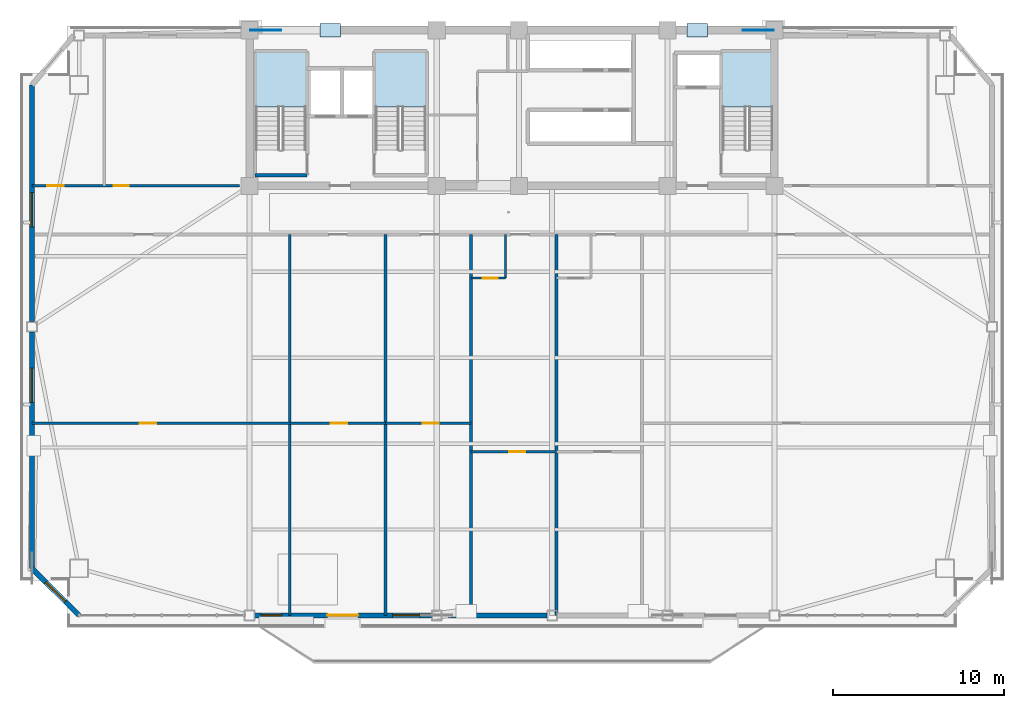
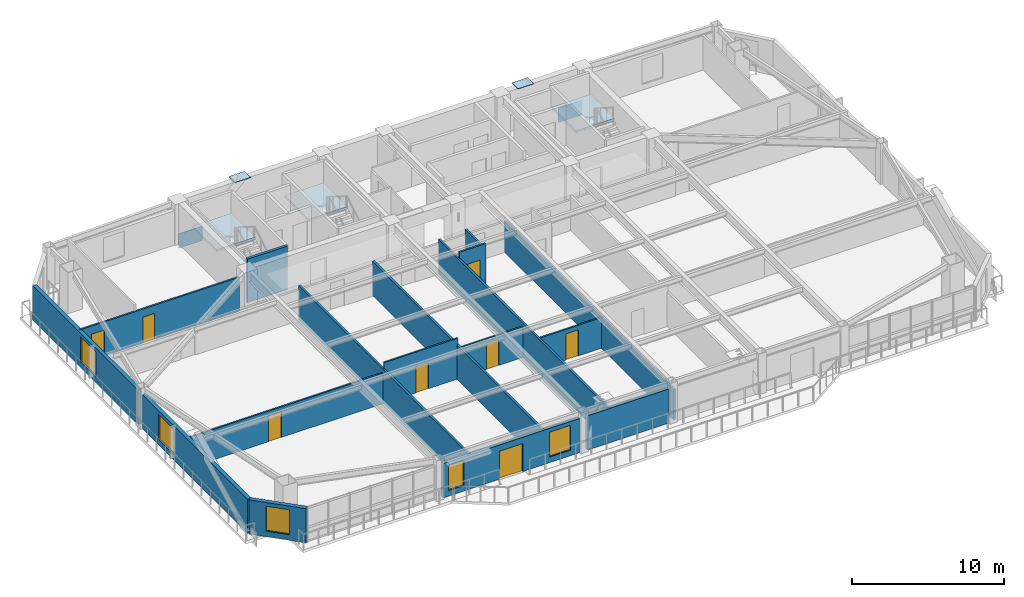
# One storey, part 8 of 17: 17 walls, 8 doors, 5 windows, 4 plates, 3 slabs, 13 openings, 3 elements without a shape of their own.
"""IFC4 building model written with IfcOpenShell, lengths in metres."""

from ifc_helpers import new_model, si_unit, direction, frame, frame_2d, origin, origin_2d, place, context, subcontext, project, spatial, polyline, rectangle, outline, extrude, source, transform, mapped, material, layer, layer_set, type_object, element, fill, aggregate, save


model = new_model("IFC4")

# Units and contexts
model_context = context("Model", 3, precision=1e-05, world=origin(), true_north=direction((0.0, 1.0)))
body_context = subcontext(model_context, "Body", "Model", "MODEL_VIEW")
ifc_project = project(units=[si_unit("LENGTHUNIT", "METRE"), si_unit("AREAUNIT", "SQUARE_METRE"), si_unit("VOLUMEUNIT", "CUBIC_METRE"), si_unit("PLANEANGLEUNIT", "RADIAN"), si_unit("MASSUNIT", "GRAM", prefix="KILO")], contexts=[model_context])

# Site, building, storey
site_placement = place(None, origin())
site = spatial("IfcSite", under=ifc_project, at=site_placement, CompositionType="ELEMENT")
building_placement = place(site_placement, origin())
building = spatial("IfcBuilding", under=site, at=building_placement, Name="Giltprow Tower", CompositionType="ELEMENT")
storey_placement = place(building_placement, frame((0.0, 0.0, 213.199951171875)))
storey = spatial("IfcBuildingStorey", under=building, at=storey_placement, Name="L54", CompositionType="ELEMENT", Elevation=213.199951171875)

# Stair, slab
ifc_material_1 = material(Name="Concrete C40", Category="concrete")
stair_type_1 = type_object("IfcStairType", Name="STR-ST-1", PredefinedType="HALF_TURN_STAIR", material=ifc_material_1)
stair_1_placement = place(storey_placement, origin())
stair_1 = element("IfcStair", 1, at=stair_1_placement, inside=storey, type_object=stair_type_1, Name="L54 Core Exit Stair ST-1", PredefinedType="HALF_TURN_STAIR")
ifc_layer_1 = layer(ifc_material_1, 0.179931640625, Name="Concrete C40")
ifc_layer_set_1 = layer_set([ifc_layer_1], Name="Concrete C40")
slab_type_1 = type_object("IfcSlabType", Name="SLD-ST-1", PredefinedType="LANDING", material=ifc_layer_set_1)
slab_1_placement = place(storey_placement, frame((0.0, 0.0, 1.570068359375)))
slab_1 = element("IfcSlab", 2, at=slab_1_placement, type_object=slab_type_1, Name="ST-1 landing 1", PredefinedType="LANDING", context=body_context, shape_type="SweptSolid", body=[
    extrude(outline(polyline([(23.159912109375, 42.070068359375), (23.159912109375, 45.25), (20.199951171875, 45.25), (20.199951171875, 42.070068359375), (23.159912109375, 42.070068359375)])), origin(), (0.0, 0.0, 1.0), 0.179931640625),
])
aggregate(stair_1, [slab_1])

stair_type_2 = type_object("IfcStairType", Name="STR-ST-2", PredefinedType="HALF_TURN_STAIR", material=ifc_material_1)
stair_2_placement = place(storey_placement, origin())
stair_2 = element("IfcStair", 3, at=stair_2_placement, inside=storey, type_object=stair_type_2, Name="L54 Core Exit Stair ST-2", PredefinedType="HALF_TURN_STAIR")
ifc_layer_2 = layer(ifc_material_1, 0.18798828125, Name="Concrete C40")
ifc_layer_set_2 = layer_set([ifc_layer_2], Name="Concrete C40")
slab_type_2 = type_object("IfcSlabType", Name="SLD-ST-2", PredefinedType="LANDING", material=ifc_layer_set_2)
slab_2_placement = place(storey_placement, frame((0.0, 0.0, 1.56201171875)))
slab_2 = element("IfcSlab", 4, at=slab_2_placement, type_object=slab_type_2, Name="ST-2 landing 1", PredefinedType="LANDING", context=body_context, shape_type="SweptSolid", body=[
    extrude(outline(polyline([(30.159912109375, 42.070068359375), (30.159912109375, 45.25), (27.199951171875, 45.25), (27.199951171875, 42.070068359375), (30.159912109375, 42.070068359375)])), origin(), (0.0, 0.0, 1.0), 0.18798828125),
])
aggregate(stair_2, [slab_2])

stair_type_3 = type_object("IfcStairType", Name="STR-ST-3", PredefinedType="HALF_TURN_STAIR", material=ifc_material_1)
stair_3_placement = place(storey_placement, origin())
stair_3 = element("IfcStair", 5, at=stair_3_placement, inside=storey, type_object=stair_type_3, Name="L54 Core Exit Stair ST-3", PredefinedType="HALF_TURN_STAIR")
ifc_layer_3 = layer(ifc_material_1, 0.196044921875, Name="Concrete C40")
ifc_layer_set_3 = layer_set([ifc_layer_3], Name="Concrete C40")
slab_type_3 = type_object("IfcSlabType", Name="SLD-ST-3", PredefinedType="LANDING", material=ifc_layer_set_3)
slab_3_placement = place(storey_placement, frame((0.0, 0.0, 1.553955078125)))
slab_3 = element("IfcSlab", 6, at=slab_3_placement, type_object=slab_type_3, Name="ST-3 landing 1", PredefinedType="LANDING", context=body_context, shape_type="SweptSolid", body=[
    extrude(outline(polyline([(50.4599609375, 42.070068359375), (50.4599609375, 45.25), (47.5, 45.25), (47.5, 42.070068359375), (50.4599609375, 42.070068359375)])), origin(), (0.0, 0.0, 1.0), 0.196044921875),
])
aggregate(stair_3, [slab_3])

# Plates
ifc_material_2 = material(Name="Structural steel Q420GJC", Category="steel")
plate_type_1 = type_object("IfcPlateType", Name="PLT-NODE-MBN1", PredefinedType="USERDEFINED", material=ifc_material_2)
shared_shape_1 = source(origin(), body_context, "Body", "SweptSolid", [
    extrude(rectangle(XDim=1.800048828125, YDim=0.050048828125, at=origin_2d()), origin(), (0.0, 0.0, 1.0), 1.14990234375),
])
for number, where, z_axis, x_axis, name in (
    (7, (20.800048828125, 46.550048828125, -0.71484375), (0.0, 0.0, 1.0), (1.0, 0.0, 0.0), "Mega-Brace Node L54-N-LA"),
    (8, (49.60009765625, 46.550048828125, -0.71484375), (0.0, 0.0, 1.0), (1.0, 0.0, 0.0), "Mega-Brace Node L54-N-RA"),
):
    element("IfcPlate", number, at=place(storey_placement, frame(where, z_axis=z_axis, x_axis=x_axis)), inside=storey, type_object=plate_type_1, Name=name, ObjectType="GUSSET", PredefinedType="USERDEFINED", context=body_context, shape_type="MappedRepresentation", body=[
        mapped(shared_shape_1, transform((0.0, 0.0, 0.0), x_axis=(1.0, 0.0, 0.0), y_axis=(0.0, 1.0, 0.0), z_axis=(0.0, 0.0, 1.0), scale=1.0)),
    ])
plate_type_2 = type_object("IfcPlateType", Name="PLT-CAP-SEAL", PredefinedType="USERDEFINED", material=ifc_material_2)
shared_shape_2 = source(origin(), body_context, "Body", "SweptSolid", [
    extrude(rectangle(XDim=1.199951171875, YDim=0.800048828125, at=origin_2d()), origin(), (0.0, 0.0, 1.0), 0.034912109375),
])
for number, where, z_axis, x_axis, name in (
    (9, (24.553955078125, 46.550048828125, 3.3427734375), (0.0, 0.0, 1.0), (1.0, 0.0, 0.0), "Mega-Brace Node L54-N-LB"),
    (10, (46.049072265625, 46.550048828125, 3.3427734375), (0.0, 0.0, 1.0), (1.0, 0.0, 0.0), "Mega-Brace Node L54-N-RB"),
):
    element("IfcPlate", number, at=place(storey_placement, frame(where, z_axis=z_axis, x_axis=x_axis)), inside=storey, type_object=plate_type_2, Name=name, ObjectType="SPLICE", PredefinedType="USERDEFINED", context=body_context, shape_type="MappedRepresentation", body=[
        mapped(shared_shape_2, transform((0.0, 0.0, 0.0), x_axis=(1.0, 0.0, 0.0), y_axis=(0.0, 1.0, 0.0), z_axis=(0.0, 0.0, 1.0), scale=1.0)),
    ])

# Wall, opening, window
ifc_material_3 = material(Name="Precast concrete C40", Category="concrete")
ifc_layer_4 = layer(ifc_material_3, 0.300048828125, Name="Precast concrete C40")
ifc_layer_set_4 = layer_set([ifc_layer_4], Name="Precast concrete C40")
wall_type_1 = type_object("IfcWallType", Name="EW-NOTCH-CHAMFER-300", PredefinedType="SOLIDWALL", material=ifc_layer_set_4)
wall_1_placement = place(storey_placement, frame((7.117919921875, 15.072021484375, 0.0), z_axis=(0.0, 0.0, 1.0), x_axis=(0.707138122488, -0.707075438496, 0.0)))
wall_1 = element("IfcWall", 11, at=wall_1_placement, inside=storey, type_object=wall_type_1, Name="L54 Corner Notch Wall SW", PredefinedType="SOLIDWALL", context=body_context, shape_type="SweptSolid", body=[
    extrude(rectangle(XDim=3.894775390625, YDim=0.300048828125, at=frame_2d((1.947265625, 0.0))), origin(), (0.0, 0.0, 1.0), 2.75),
])
opening_1_placement = place(wall_1_placement, frame((1.14697265625, 0.0, 0.449951171875)))
opening_1 = element("IfcOpeningElement", 12, at=opening_1_placement, cuts=wall_1, Name="Opening WN17", PredefinedType="OPENING", context=body_context, shape_type="SweptSolid", body=[
    extrude(rectangle(XDim=1.60009765625, YDim=2.0, at=frame_2d((0.800048828125, 1.0))), frame((0.0, 0.159912109375, 0.0), z_axis=(0.0, -1.0, 0.0), x_axis=(1.0, 0.0, 0.0)), (0.0, 0.0, 1.0), 0.320068359375),
])
ifc_material_4 = material(Name="Insulated glass", Category="glass")
window_type_1 = type_object("IfcWindowType", Name="WN-COR-1600x2000", PartitioningType="SINGLE_PANEL", PredefinedType="WINDOW", material=ifc_material_4)
shared_shape_3 = source(origin(), body_context, "Body", "SweptSolid", [
    extrude(rectangle(XDim=1.60009765625, YDim=2.0, at=frame_2d((0.800048828125, 1.0))), frame((0.0, 0.030029296875, 0.0), z_axis=(0.0, -1.0, 0.0), x_axis=(1.0, 0.0, 0.0)), (0.0, 0.0, 1.0), 0.06005859375),
])
window_1_placement = place(opening_1_placement, origin())
window_1 = element("IfcWindow", 13, at=window_1_placement, inside=storey, type_object=window_type_1, Name="L54 Corner Notch Window SW", OverallHeight=2.0, OverallWidth=1.60009765625, PartitioningType="SINGLE_PANEL", PredefinedType="WINDOW", context=body_context, shape_type="MappedRepresentation", body=[
    mapped(shared_shape_3, transform((0.0, 0.0, 0.0), x_axis=(1.0, 0.0, 0.0), y_axis=(0.0, 1.0, 0.0), z_axis=(0.0, 0.0, 1.0), scale=1.0)),
])
fill(opening_1, window_1)

# Wall, openings, windows, door
ifc_layer_5 = layer(ifc_material_3, 0.280029296875, Name="Precast concrete C40")
ifc_layer_set_5 = layer_set([ifc_layer_5], Name="Precast concrete C40")
wall_type_2 = type_object("IfcWallType", Name="EW-TOW-BRONZE-280", PredefinedType="SOLIDWALL", material=ifc_layer_set_5)
wall_2_placement = place(storey_placement, frame((20.14990234375, 12.318115234375, 0.0), z_axis=(0.0, 0.0, 1.0), x_axis=(1.0, 0.0, 0.0)))
wall_2 = element("IfcWall", 14, at=wall_2_placement, inside=storey, type_object=wall_type_2, Name="L54 South Expressed Frame Wall 2", PredefinedType="SOLIDWALL", context=body_context, shape_type="SweptSolid", body=[
    extrude(rectangle(XDim=10.35009765625, YDim=0.280029296875, at=frame_2d((5.175048828125, 0.0))), origin(), (0.0, 0.0, 1.0), 2.75),
])
opening_2_placement = place(wall_2_placement, frame((4.25, 0.0, 0.0)))
opening_2 = element("IfcOpeningElement", 15, at=opening_2_placement, cuts=wall_2, Name="Opening ED25", PredefinedType="OPENING", context=body_context, shape_type="SweptSolid", body=[
    extrude(rectangle(XDim=1.800048828125, YDim=2.25, at=frame_2d((0.89990234375, 1.125))), frame((0.0, 0.14990234375, 0.0), z_axis=(0.0, -1.0, 0.0), x_axis=(1.0, 0.0, 0.0)), (0.0, 0.0, 1.0), 0.300048828125),
])
opening_3_placement = place(wall_2_placement, frame((0.3798828125, 0.0, 0.449951171875)))
opening_3 = element("IfcOpeningElement", 16, at=opening_3_placement, cuts=wall_2, Name="Opening WN11", PredefinedType="OPENING", context=body_context, shape_type="SweptSolid", body=[
    extrude(rectangle(XDim=1.199951171875, YDim=2.0, at=frame_2d((0.60009765625, 1.0))), frame((0.0, 0.14990234375, 0.0), z_axis=(0.0, -1.0, 0.0), x_axis=(1.0, 0.0, 0.0)), (0.0, 0.0, 1.0), 0.300048828125),
])
opening_4_placement = place(wall_2_placement, frame((8.070068359375, 0.0, 0.449951171875)))
opening_4 = element("IfcOpeningElement", 17, at=opening_4_placement, cuts=wall_2, Name="Opening WN17", PredefinedType="OPENING", context=body_context, shape_type="SweptSolid", body=[
    extrude(rectangle(XDim=1.60009765625, YDim=2.0, at=frame_2d((0.800048828125, 1.0))), frame((0.0, 0.14990234375, 0.0), z_axis=(0.0, -1.0, 0.0), x_axis=(1.0, 0.0, 0.0)), (0.0, 0.0, 1.0), 0.300048828125),
])
window_2_placement = place(opening_4_placement, origin())
window_2 = element("IfcWindow", 18, at=window_2_placement, inside=storey, type_object=window_type_1, Name="L54 South Window 2B", OverallHeight=2.0, OverallWidth=1.60009765625, PartitioningType="SINGLE_PANEL", PredefinedType="WINDOW", context=body_context, shape_type="MappedRepresentation", body=[
    mapped(shared_shape_3, transform((0.0, 0.0, 0.0), x_axis=(1.0, 0.0, 0.0), y_axis=(0.0, 1.0, 0.0), z_axis=(0.0, 0.0, 1.0), scale=1.0)),
])
fill(opening_4, window_2)
ifc_material_5 = material(Name="Anodized bronze and glass", Category="glass")
door_type_1 = type_object("IfcDoorType", Name="DR-BALC-SLIDE-1800", OperationType="SLIDING_TO_LEFT", PredefinedType="DOOR", material=ifc_material_5)
shared_shape_4 = source(origin(), body_context, "Body", "SweptSolid", [
    extrude(rectangle(XDim=1.800048828125, YDim=2.25, at=frame_2d((0.89990234375, 1.125))), frame((0.0, 0.02490234375, 0.0), z_axis=(0.0, -1.0, 0.0), x_axis=(1.0, 0.0, 0.0)), (0.0, 0.0, 1.0), 0.050048828125),
])
door_1_placement = place(opening_2_placement, origin())
door_1 = element("IfcDoor", 19, at=door_1_placement, inside=storey, type_object=door_type_1, Name="L54 Waterfront Balcony Sliding Door 1", OperationType="SLIDING_TO_LEFT", OverallHeight=2.25, OverallWidth=1.800048828125, PredefinedType="DOOR", context=body_context, shape_type="MappedRepresentation", body=[
    mapped(shared_shape_4, transform((0.0, 0.0, 0.0), x_axis=(1.0, 0.0, 0.0), y_axis=(0.0, 1.0, 0.0), z_axis=(0.0, 0.0, 1.0), scale=1.0)),
])
fill(opening_2, door_1)
window_type_2 = type_object("IfcWindowType", Name="WN-LANCET-1200x2000", PartitioningType="SINGLE_PANEL", PredefinedType="WINDOW", material=ifc_material_4)
shared_shape_5 = source(origin(), body_context, "Body", "SweptSolid", [
    extrude(rectangle(XDim=1.199951171875, YDim=2.0, at=frame_2d((0.60009765625, 1.0))), frame((0.0, 0.030029296875, 0.0), z_axis=(0.0, -1.0, 0.0), x_axis=(1.0, 0.0, 0.0)), (0.0, 0.0, 1.0), 0.06005859375),
])
window_3_placement = place(opening_3_placement, origin())
window_3 = element("IfcWindow", 20, at=window_3_placement, inside=storey, type_object=window_type_2, Name="L54 South Window 2A", OverallHeight=2.0, OverallWidth=1.199951171875, PartitioningType="SINGLE_PANEL", PredefinedType="WINDOW", context=body_context, shape_type="MappedRepresentation", body=[
    mapped(shared_shape_5, transform((0.0, 0.0, 0.0), x_axis=(1.0, 0.0, 0.0), y_axis=(0.0, 1.0, 0.0), z_axis=(0.0, 0.0, 1.0), scale=1.0)),
])
fill(opening_3, window_3)

# Wall
wall_3_placement = place(storey_placement, frame((31.10009765625, 12.318115234375, 0.0), z_axis=(0.0, 0.0, 1.0), x_axis=(1.0, 0.0, 0.0)))
element("IfcWall", 21, at=wall_3_placement, inside=storey, type_object=wall_type_2, Name="L54 South Expressed Frame Wall 3", PredefinedType="SOLIDWALL", context=body_context, shape_type="SweptSolid", body=[
    extrude(rectangle(XDim=6.14990234375, YDim=0.280029296875, at=frame_2d((3.074951171875, 0.0))), origin(), (0.0, 0.0, 1.0), 2.75),
])

# Wall, opening, window
wall_4_placement = place(storey_placement, frame((7.117919921875, 15.072021484375, 0.0), z_axis=(0.0, 0.0, 1.0), x_axis=(0.0, 1.0, 0.0)))
wall_4 = element("IfcWall", 22, at=wall_4_placement, inside=storey, type_object=wall_type_2, Name="L54 W Wing Masonry Wall 1", PredefinedType="SOLIDWALL", context=body_context, shape_type="SweptSolid", body=[
    extrude(rectangle(XDim=13.8369140625, YDim=0.280029296875, at=frame_2d((6.91845703125, 0.0))), origin(), (0.0, 0.0, 1.0), 2.75),
])
opening_5_placement = place(wall_4_placement, frame((9.7099609375, 0.0, 0.449951171875)))
opening_5 = element("IfcOpeningElement", 23, at=opening_5_placement, cuts=wall_4, Name="Opening WN21", PredefinedType="OPENING", context=body_context, shape_type="SweptSolid", body=[
    extrude(rectangle(XDim=2.0, YDim=2.0, at=frame_2d((1.0, 1.0))), frame((0.0, 0.14990234375, 0.0), z_axis=(0.0, -1.0, 0.0), x_axis=(1.0, 0.0, 0.0)), (0.0, 0.0, 1.0), 0.300048828125),
])
window_type_3 = type_object("IfcWindowType", Name="WN-HTL-2000x2000", PartitioningType="DOUBLE_PANEL_VERTICAL", PredefinedType="WINDOW", material=ifc_material_4)
shared_shape_6 = source(origin(), body_context, "Body", "SweptSolid", [
    extrude(rectangle(XDim=2.0, YDim=2.0, at=frame_2d((1.0, 1.0))), frame((0.0, 0.030029296875, 0.0), z_axis=(0.0, -1.0, 0.0), x_axis=(1.0, 0.0, 0.0)), (0.0, 0.0, 1.0), 0.06005859375),
])
window_4_placement = place(opening_5_placement, origin())
window_4 = element("IfcWindow", 24, at=window_4_placement, inside=storey, type_object=window_type_3, Name="L54 W Wing Window 1-1", OverallHeight=2.0, OverallWidth=2.0, PartitioningType="SINGLE_PANEL", PredefinedType="WINDOW", context=body_context, shape_type="MappedRepresentation", body=[
    mapped(shared_shape_6, transform((0.0, 0.0, 0.0), x_axis=(1.0, 0.0, 0.0), y_axis=(0.0, 1.0, 0.0), z_axis=(0.0, 0.0, 1.0), scale=1.0)),
])
fill(opening_5, window_4)

wall_5_placement = place(storey_placement, frame((7.117919921875, 29.509033203125, 0.0), z_axis=(0.0, 0.0, 1.0), x_axis=(0.0, 1.0, 0.0)))
wall_5 = element("IfcWall", 25, at=wall_5_placement, inside=storey, type_object=wall_type_2, Name="L54 W Wing Masonry Wall 2", PredefinedType="SOLIDWALL", context=body_context, shape_type="SweptSolid", body=[
    extrude(rectangle(XDim=13.8369140625, YDim=0.280029296875, at=frame_2d((6.91845703125, 0.0))), origin(), (0.0, 0.0, 1.0), 2.75),
])
opening_6_placement = place(wall_5_placement, frame((5.535888671875, 0.0, 0.449951171875)))
opening_6 = element("IfcOpeningElement", 26, at=opening_6_placement, cuts=wall_5, Name="Opening WN21", PredefinedType="OPENING", context=body_context, shape_type="SweptSolid", body=[
    extrude(rectangle(XDim=2.0, YDim=2.0, at=frame_2d((1.0, 1.0))), frame((0.0, 0.14990234375, 0.0), z_axis=(0.0, -1.0, 0.0), x_axis=(1.0, 0.0, 0.0)), (0.0, 0.0, 1.0), 0.300048828125),
])
window_5_placement = place(opening_6_placement, origin())
window_5 = element("IfcWindow", 27, at=window_5_placement, inside=storey, type_object=window_type_3, Name="L54 W Wing Window 2-1", OverallHeight=2.0, OverallWidth=2.0, PartitioningType="SINGLE_PANEL", PredefinedType="WINDOW", context=body_context, shape_type="MappedRepresentation", body=[
    mapped(shared_shape_6, transform((0.0, 0.0, 0.0), x_axis=(1.0, 0.0, 0.0), y_axis=(0.0, 1.0, 0.0), z_axis=(0.0, 0.0, 1.0), scale=1.0)),
])
fill(opening_6, window_5)

# Walls
ifc_material_6 = material(Name="Gypsum stud partition", Category="gypsum")
ifc_layer_6 = layer(ifc_material_6, 0.159912109375, Name="Gypsum stud partition")
ifc_layer_set_6 = layer_set([ifc_layer_6], Name="Gypsum stud partition")
wall_type_3 = type_object("IfcWallType", Name="IW-DEMISE-160", PredefinedType="PARTITIONING", material=ifc_layer_set_6)
for number, where, z_axis, x_axis, name in (
    (28, (22.199951171875, 12.318115234375, 0.0), (0.0, 0.0, 1.0), (0.0, 1.0, 0.0), "L54 Hotel Demising Wall 1"),
    (29, (27.800048828125, 12.318115234375, 0.0), (0.0, 0.0, 1.0), (0.0, 1.0, 0.0), "L54 Hotel Demising Wall 2"),
    (30, (32.800048828125, 12.318115234375, 0.0), (0.0, 0.0, 1.0), (0.0, 1.0, 0.0), "L54 Hotel Demising Wall 3"),
):
    element("IfcWall", number, at=place(storey_placement, frame(where, z_axis=z_axis, x_axis=x_axis)), inside=storey, type_object=wall_type_3, Name=name, PredefinedType="PARTITIONING", context=body_context, shape_type="SweptSolid", body=[
        extrude(rectangle(XDim=22.281982421875, YDim=0.159912109375, at=frame_2d((11.14111328125, 0.0))), origin(), (0.0, 0.0, 1.0), 2.755126953125),
    ])
wall_6_placement = place(storey_placement, frame((37.800048828125, 12.318115234375, 0.0), z_axis=(0.0, 0.0, 1.0), x_axis=(0.0, 1.0, 0.0)))
element("IfcWall", 31, at=wall_6_placement, inside=storey, type_object=wall_type_3, Name="L54 Hotel Demising Wall 4", PredefinedType="PARTITIONING", context=body_context, shape_type="SweptSolid", body=[
    extrude(rectangle(XDim=22.281982421875, YDim=0.159912109375, at=frame_2d((11.14111328125, 0.0))), origin(), (0.0, 0.0, 1.0), 2.455078125),
])

# Wall, opening, door
ifc_layer_7 = layer(ifc_material_6, 0.1201171875, Name="Gypsum stud partition")
ifc_layer_set_7 = layer_set([ifc_layer_7], Name="Gypsum stud partition")
wall_type_4 = type_object("IfcWallType", Name="IW-ROOM-120", PredefinedType="PARTITIONING", material=ifc_layer_set_7)
wall_7_placement = place(storey_placement, frame((7.117919921875, 23.55908203125, 0.0), z_axis=(0.0, 0.0, 1.0), x_axis=(1.0, 0.0, 0.0)))
wall_7 = element("IfcWall", 32, at=wall_7_placement, inside=storey, type_object=wall_type_4, Name="L54 Amenity Mid Wall 1", PredefinedType="PARTITIONING", context=body_context, shape_type="SweptSolid", body=[
    extrude(rectangle(XDim=15.08203125, YDim=0.1201171875, at=frame_2d((7.541015625, 0.0))), origin(), (0.0, 0.0, 1.0), 2.455078125),
])
opening_7_placement = place(wall_7_placement, frame((6.319091796875, 0.0, 0.0)))
opening_7 = element("IfcOpeningElement", 33, at=opening_7_placement, cuts=wall_7, Name="Opening ID11", PredefinedType="OPENING", context=body_context, shape_type="SweptSolid", body=[
    extrude(rectangle(XDim=0.949951171875, YDim=2.10009765625, at=frame_2d((0.47509765625, 1.050048828125))), frame((0.0, 0.070068359375, 0.0), z_axis=(0.0, -1.0, 0.0), x_axis=(1.0, 0.0, 0.0)), (0.0, 0.0, 1.0), 0.14013671875),
])
ifc_material_7 = material(Name="Engineered timber", Category="wood")
door_type_2 = type_object("IfcDoorType", Name="DR-ROOM-950", OperationType="SINGLE_SWING_RIGHT", PredefinedType="DOOR", material=ifc_material_7)
shared_shape_7 = source(origin(), body_context, "Body", "SweptSolid", [
    extrude(rectangle(XDim=0.949951171875, YDim=2.10009765625, at=frame_2d((0.47509765625, 1.050048828125))), frame((0.0, 0.02490234375, 0.0), z_axis=(0.0, -1.0, 0.0), x_axis=(1.0, 0.0, 0.0)), (0.0, 0.0, 1.0), 0.050048828125),
])
door_2_placement = place(opening_7_placement, origin())
door_2 = element("IfcDoor", 34, at=door_2_placement, inside=storey, type_object=door_type_2, Name="L54 VIP Arrival Reception 1 Inner Door", OperationType="SINGLE_SWING_LEFT", OverallHeight=2.10009765625, OverallWidth=0.949951171875, PredefinedType="DOOR", context=body_context, shape_type="MappedRepresentation", body=[
    mapped(shared_shape_7, transform((0.0, 0.0, 0.0), x_axis=(1.0, 0.0, 0.0), y_axis=(0.0, 1.0, 0.0), z_axis=(0.0, 0.0, 1.0), scale=1.0)),
])
fill(opening_7, door_2)

wall_8_placement = place(storey_placement, frame((22.199951171875, 23.55908203125, 0.0), z_axis=(0.0, 0.0, 1.0), x_axis=(1.0, 0.0, 0.0)))
wall_8 = element("IfcWall", 35, at=wall_8_placement, inside=storey, type_object=wall_type_4, Name="L54 Amenity Mid Wall 2", PredefinedType="PARTITIONING", context=body_context, shape_type="SweptSolid", body=[
    extrude(rectangle(XDim=5.60009765625, YDim=0.1201171875, at=frame_2d((2.800048828125, 0.0))), origin(), (0.0, 0.0, 1.0), 3.27001953125),
])
opening_8_placement = place(wall_8_placement, frame((2.406005859375, 0.0, 0.0)))
opening_8 = element("IfcOpeningElement", 36, at=opening_8_placement, cuts=wall_8, Name="Opening ID11", PredefinedType="OPENING", context=body_context, shape_type="SweptSolid", body=[
    extrude(rectangle(XDim=0.949951171875, YDim=2.10009765625, at=frame_2d((0.47509765625, 1.050048828125))), frame((0.0, 0.070068359375, 0.0), z_axis=(0.0, -1.0, 0.0), x_axis=(1.0, 0.0, 0.0)), (0.0, 0.0, 1.0), 0.14013671875),
])
door_3_placement = place(opening_8_placement, origin())
door_3 = element("IfcDoor", 37, at=door_3_placement, inside=storey, type_object=door_type_2, Name="L54 Bridal Suite Reception 2 Inner Door", OperationType="SINGLE_SWING_LEFT", OverallHeight=2.10009765625, OverallWidth=0.949951171875, PredefinedType="DOOR", context=body_context, shape_type="MappedRepresentation", body=[
    mapped(shared_shape_7, transform((0.0, 0.0, 0.0), x_axis=(1.0, 0.0, 0.0), y_axis=(0.0, 1.0, 0.0), z_axis=(0.0, 0.0, 1.0), scale=1.0)),
])
fill(opening_8, door_3)

wall_9_placement = place(storey_placement, frame((27.800048828125, 23.55908203125, 0.0), z_axis=(0.0, 0.0, 1.0), x_axis=(1.0, 0.0, 0.0)))
wall_9 = element("IfcWall", 38, at=wall_9_placement, inside=storey, type_object=wall_type_4, Name="L54 Amenity Mid Wall 3", PredefinedType="PARTITIONING", context=body_context, shape_type="SweptSolid", body=[
    extrude(rectangle(XDim=5.0, YDim=0.1201171875, at=frame_2d((2.5, 0.0))), origin(), (0.0, 0.0, 1.0), 2.455078125),
])
opening_9_placement = place(wall_9_placement, frame((2.166015625, 0.0, 0.0)))
opening_9 = element("IfcOpeningElement", 39, at=opening_9_placement, cuts=wall_9, Name="Opening ID11", PredefinedType="OPENING", context=body_context, shape_type="SweptSolid", body=[
    extrude(rectangle(XDim=0.949951171875, YDim=2.10009765625, at=frame_2d((0.47509765625, 1.050048828125))), frame((0.0, 0.070068359375, 0.0), z_axis=(0.0, -1.0, 0.0), x_axis=(1.0, 0.0, 0.0)), (0.0, 0.0, 1.0), 0.14013671875),
])
door_4_placement = place(opening_9_placement, origin())
door_4 = element("IfcDoor", 40, at=door_4_placement, inside=storey, type_object=door_type_2, Name="L54 Jewellery Gallery Shop Inner Door", OperationType="SINGLE_SWING_LEFT", OverallHeight=2.10009765625, OverallWidth=0.949951171875, PredefinedType="DOOR", context=body_context, shape_type="MappedRepresentation", body=[
    mapped(shared_shape_7, transform((0.0, 0.0, 0.0), x_axis=(1.0, 0.0, 0.0), y_axis=(0.0, 1.0, 0.0), z_axis=(0.0, 0.0, 1.0), scale=1.0)),
])
fill(opening_9, door_4)

wall_10_placement = place(storey_placement, frame((32.800048828125, 21.89306640625, 0.0), z_axis=(0.0, 0.0, 1.0), x_axis=(1.0, 0.0, 0.0)))
wall_10 = element("IfcWall", 41, at=wall_10_placement, inside=storey, type_object=wall_type_4, Name="L54 Suite Parlour Divider 4", PredefinedType="PARTITIONING", context=body_context, shape_type="SweptSolid", body=[
    extrude(rectangle(XDim=5.0, YDim=0.1201171875, at=frame_2d((2.5, 0.0))), origin(), (0.0, 0.0, 1.0), 2.455078125),
])
opening_10_placement = place(wall_10_placement, frame((2.22509765625, 0.0, 0.0)))
opening_10 = element("IfcOpeningElement", 42, at=opening_10_placement, cuts=wall_10, Name="Opening ID11", PredefinedType="OPENING", context=body_context, shape_type="SweptSolid", body=[
    extrude(rectangle(XDim=0.949951171875, YDim=2.10009765625, at=frame_2d((0.47509765625, 1.050048828125))), frame((0.0, 0.070068359375, 0.0), z_axis=(0.0, -1.0, 0.0), x_axis=(1.0, 0.0, 0.0)), (0.0, 0.0, 1.0), 0.14013671875),
])
door_5_placement = place(opening_10_placement, origin())
door_5 = element("IfcDoor", 43, at=door_5_placement, inside=storey, type_object=door_type_2, Name="L54 Harbour Parlour 4 Door", OperationType="SINGLE_SWING_RIGHT", OverallHeight=2.10009765625, OverallWidth=0.949951171875, PredefinedType="DOOR", context=body_context, shape_type="MappedRepresentation", body=[
    mapped(shared_shape_7, transform((0.0, 0.0, 0.0), x_axis=(1.0, 0.0, 0.0), y_axis=(0.0, 1.0, 0.0), z_axis=(0.0, 0.0, 1.0), scale=1.0)),
])
fill(opening_10, door_5)

# Wall
ifc_layer_8 = layer(ifc_material_1, 0.199951171875, Name="Concrete C40")
ifc_layer_set_8 = layer_set([ifc_layer_8], Name="Concrete C40")
wall_type_5 = type_object("IfcWallType", Name="IW-STAIR-200", PredefinedType="SOLIDWALL", material=ifc_layer_set_8)
wall_11_placement = place(storey_placement, frame((20.169921875, 38.070068359375, 0.0), z_axis=(0.0, 0.0, 1.0), x_axis=(1.0, 0.0, 0.0)))
element("IfcWall", 44, at=wall_11_placement, inside=storey, type_object=wall_type_5, Name="L54 Stair ST-1 South Bearing Wall", PredefinedType="SOLIDWALL", context=body_context, shape_type="SweptSolid", body=[
    extrude(rectangle(XDim=3.050048828125, YDim=0.199951171875, at=frame_2d((1.52490234375, 0.0))), origin(), (0.0, 0.0, 1.0), 3.5),
])

# Wall, opening, door
ifc_material_8 = material(Name="Concrete C30", Category="concrete")
ifc_layer_9 = layer(ifc_material_8, 0.1298828125, Name="Concrete C30")
ifc_layer_set_9 = layer_set([ifc_layer_9], Name="Concrete C30")
wall_type_6 = type_object("IfcWallType", Name="IW-WET-130", PredefinedType="PARTITIONING", material=ifc_layer_set_9)
wall_12_placement = place(storey_placement, frame((32.800048828125, 32.050048828125, 0.0), z_axis=(0.0, 0.0, 1.0), x_axis=(1.0, 0.0, 0.0)))
wall_12 = element("IfcWall", 45, at=wall_12_placement, inside=storey, type_object=wall_type_6, Name="L54 En-Suite South Wall 4", PredefinedType="PARTITIONING", context=body_context, shape_type="SweptSolid", body=[
    extrude(rectangle(XDim=2.015869140625, YDim=0.1298828125, at=frame_2d((1.0078125, 0.0))), origin(), (0.0, 0.0, 1.0), 3.27001953125),
])
opening_11_placement = place(wall_12_placement, frame((0.677978515625, 0.0, 0.0)))
opening_11 = element("IfcOpeningElement", 46, at=opening_11_placement, cuts=wall_12, Name="Opening ID15", PredefinedType="OPENING", context=body_context, shape_type="SweptSolid", body=[
    extrude(rectangle(XDim=0.89990234375, YDim=2.10009765625, at=frame_2d((0.449951171875, 1.050048828125))), frame((0.0, 0.074951171875, 0.0), z_axis=(0.0, -1.0, 0.0), x_axis=(1.0, 0.0, 0.0)), (0.0, 0.0, 1.0), 0.14990234375),
])
door_type_3 = type_object("IfcDoorType", Name="DR-WC-900", OperationType="SINGLE_SWING_LEFT", PredefinedType="DOOR", material=ifc_material_7)
shared_shape_8 = source(origin(), body_context, "Body", "SweptSolid", [
    extrude(rectangle(XDim=0.89990234375, YDim=2.10009765625, at=frame_2d((0.449951171875, 1.050048828125))), frame((0.0, 0.02490234375, 0.0), z_axis=(0.0, -1.0, 0.0), x_axis=(1.0, 0.0, 0.0)), (0.0, 0.0, 1.0), 0.050048828125),
])
door_6_placement = place(opening_11_placement, origin())
door_6 = element("IfcDoor", 47, at=door_6_placement, inside=storey, type_object=door_type_3, Name="L54 En-Suite 4 Door", OperationType="SINGLE_SWING_LEFT", OverallHeight=2.10009765625, OverallWidth=0.89990234375, PredefinedType="DOOR", context=body_context, shape_type="MappedRepresentation", body=[
    mapped(shared_shape_8, transform((0.0, 0.0, 0.0), x_axis=(1.0, 0.0, 0.0), y_axis=(0.0, 1.0, 0.0), z_axis=(0.0, 0.0, 1.0), scale=1.0)),
])
fill(opening_11, door_6)

# Wall
wall_13_placement = place(storey_placement, frame((34.81591796875, 32.050048828125, 0.0), z_axis=(0.0, 0.0, 1.0), x_axis=(0.0, 1.0, 0.0)))
element("IfcWall", 48, at=wall_13_placement, inside=storey, type_object=wall_type_6, Name="L54 En-Suite East Wall 4", PredefinedType="PARTITIONING", context=body_context, shape_type="SweptSolid", body=[
    extrude(rectangle(XDim=2.550048828125, YDim=0.1298828125, at=frame_2d((1.27490234375, 0.0))), origin(), (0.0, 0.0, 1.0), 2.85498046875),
])

# Wall, openings, doors
wall_14_placement = place(storey_placement, frame((7.117919921875, 37.449951171875, 0.0), z_axis=(0.0, 0.0, 1.0), x_axis=(1.0, 0.0, 0.0)))
wall_14 = element("IfcWall", 49, at=wall_14_placement, inside=storey, type_object=wall_type_6, Name="L54 NW Wing South Wall", PredefinedType="PARTITIONING", context=body_context, shape_type="SweptSolid", body=[
    extrude(rectangle(XDim=12.132080078125, YDim=0.1298828125, at=frame_2d((6.06591796875, 0.0))), origin(), (0.0, 0.0, 1.0), 2.755126953125),
])
opening_12_placement = place(wall_14_placement, frame((0.89990234375, 0.0, 0.0)))
opening_12 = element("IfcOpeningElement", 50, at=opening_12_placement, cuts=wall_14, Name="Opening ID11", PredefinedType="OPENING", context=body_context, shape_type="SweptSolid", body=[
    extrude(rectangle(XDim=0.949951171875, YDim=2.10009765625, at=frame_2d((0.47509765625, 1.050048828125))), frame((0.0, 0.074951171875, 0.0), z_axis=(0.0, -1.0, 0.0), x_axis=(1.0, 0.0, 0.0)), (0.0, 0.0, 1.0), 0.14990234375),
])
opening_13_placement = place(wall_14_placement, frame((4.77294921875, 0.0, 0.0)))
opening_13 = element("IfcOpeningElement", 51, at=opening_13_placement, cuts=wall_14, Name="Opening ID15", PredefinedType="OPENING", context=body_context, shape_type="SweptSolid", body=[
    extrude(rectangle(XDim=0.89990234375, YDim=2.10009765625, at=frame_2d((0.449951171875, 1.050048828125))), frame((0.0, 0.074951171875, 0.0), z_axis=(0.0, -1.0, 0.0), x_axis=(1.0, 0.0, 0.0)), (0.0, 0.0, 1.0), 0.14990234375),
])
door_7_placement = place(opening_13_placement, origin())
door_7 = element("IfcDoor", 52, at=door_7_placement, inside=storey, type_object=door_type_3, Name="L54 NW Washroom Door", OperationType="SINGLE_SWING_LEFT", OverallHeight=2.10009765625, OverallWidth=0.89990234375, PredefinedType="DOOR", context=body_context, shape_type="MappedRepresentation", body=[
    mapped(shared_shape_8, transform((0.0, 0.0, 0.0), x_axis=(1.0, 0.0, 0.0), y_axis=(0.0, 1.0, 0.0), z_axis=(0.0, 0.0, 1.0), scale=1.0)),
])
fill(opening_13, door_7)
door_8_placement = place(opening_12_placement, origin())
door_8 = element("IfcDoor", 53, at=door_8_placement, inside=storey, type_object=door_type_2, Name="L54 Hotel Floor Butler Office West Door", OperationType="SINGLE_SWING_RIGHT", OverallHeight=2.10009765625, OverallWidth=0.949951171875, PredefinedType="DOOR", context=body_context, shape_type="MappedRepresentation", body=[
    mapped(shared_shape_7, transform((0.0, 0.0, 0.0), x_axis=(1.0, 0.0, 0.0), y_axis=(0.0, 1.0, 0.0), z_axis=(0.0, 0.0, 1.0), scale=1.0)),
])
fill(opening_12, door_8)

save(model, "model.ifc")
